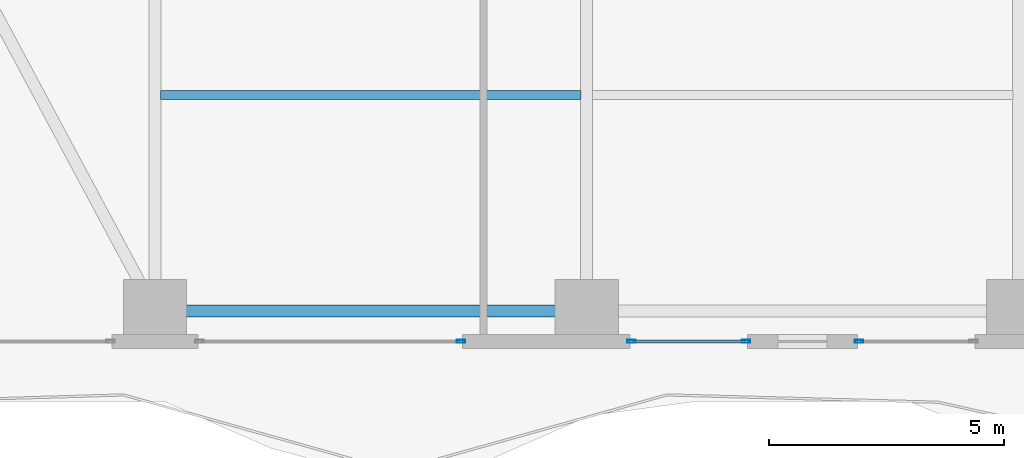
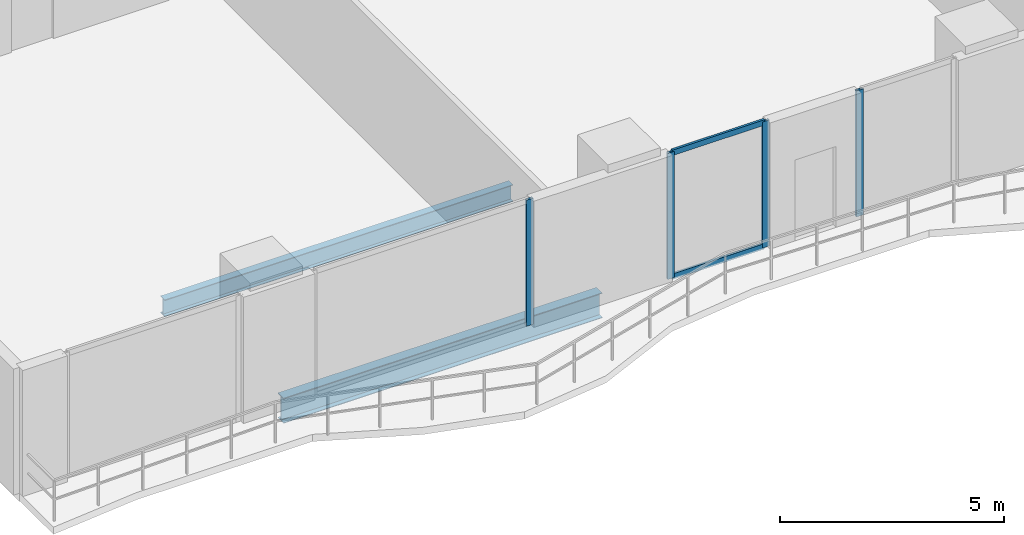
# One storey, part 4 of 29: 6 members, 2 beams, 3 elements without a shape of their own.
"""IFC4 building model written with IfcOpenShell, lengths in metres."""

from ifc_helpers import new_model, si_unit, direction, frame, origin, origin_2d, place, context, subcontext, project, spatial, hollow_rectangle, i_section, extrude, material, layer, layer_set, material_profile, profile_set, type_object, element, aggregate, save


model = new_model("IFC4")

# Units and contexts
model_context = context("Model", 3, precision=1e-05, world=origin(), true_north=direction((0.0, 1.0)))
body_context = subcontext(model_context, "Body", "Model", "MODEL_VIEW")
ifc_project = project(units=[si_unit("LENGTHUNIT", "METRE"), si_unit("AREAUNIT", "SQUARE_METRE"), si_unit("VOLUMEUNIT", "CUBIC_METRE"), si_unit("PLANEANGLEUNIT", "RADIAN"), si_unit("MASSUNIT", "GRAM", prefix="KILO")], contexts=[model_context])

# Site, building, storey
site_placement = place(None, origin())
site = spatial("IfcSite", under=ifc_project, at=site_placement, CompositionType="ELEMENT")
building_placement = place(site_placement, origin())
building = spatial("IfcBuilding", under=site, at=building_placement, Name="Zuhayl Quay Hotel", CompositionType="ELEMENT")
storey_placement = place(building_placement, frame((0.0, 0.0, 113.89990234375)))
storey = spatial("IfcBuildingStorey", under=building, at=storey_placement, Name="L28", CompositionType="ELEMENT", Elevation=113.89990234375)

# Beams
ifc_material_1 = material(Name="Steel ASTM A992 Grade 50", Category="steel")
ifc_material_profile_1 = material_profile(ifc_material_1, i_section(OverallWidth=0.25390625, OverallDepth=0.68310546875, WebThickness=0.012451171875, FlangeThickness=0.018798828125, at=origin_2d()), Name="W27X94")
ifc_profile_set_1 = profile_set([ifc_material_profile_1], Name="Steel ASTM A992 Grade 50")
beam_type_1 = type_object("IfcBeamType", Name="BM_B2_W27X94", PredefinedType="BEAM", material=ifc_profile_set_1)
beam_1_placement = place(storey_placement, frame((-13.300048828125, -14.75, -0.5615234375), z_axis=(1.0, 0.0, 0.0), x_axis=(0.0, 1.0, 0.0)))
element("IfcBeam", 1, at=beam_1_placement, inside=storey, type_object=beam_type_1, Name="L28 Floor Beam RG_L28_01", PredefinedType="BEAM", context=body_context, shape_type="SweptSolid", body=[
    extrude(i_section(OverallWidth=0.25390625, OverallDepth=0.68310546875, WebThickness=0.012451171875, FlangeThickness=0.018798828125, at=origin_2d()), origin(), (0.0, 0.0, 1.0), 8.199951171875),
])
ifc_material_profile_2 = material_profile(ifc_material_1, i_section(OverallWidth=0.18994140625, OverallDepth=0.45703125, WebThickness=0.009033203125, FlangeThickness=0.014404296875, at=origin_2d()), Name="W18X50")
ifc_profile_set_2 = profile_set([ifc_material_profile_2], Name="Steel ASTM A992 Grade 50")
beam_type_2 = type_object("IfcBeamType", Name="BM_J2_W18X50", PredefinedType="JOIST", material=ifc_profile_set_2)
beam_2_placement = place(storey_placement, frame((-13.680908203125, -10.14990234375, -0.448486328125), z_axis=(1.0, 0.0, 0.0), x_axis=(0.0, 1.0, 0.0)))
element("IfcBeam", 2, at=beam_2_placement, inside=storey, type_object=beam_type_2, Name="L28 Floor Beam FJ_L28_5_1", PredefinedType="JOIST", context=body_context, shape_type="SweptSolid", body=[
    extrude(i_section(OverallWidth=0.18994140625, OverallDepth=0.45703125, WebThickness=0.009033203125, FlangeThickness=0.014404296875, at=origin_2d()), origin(), (0.0, 0.0, 1.0), 8.9619140625),
])

# Curtain wall, member
ifc_material_2 = material(Name="Anodised Aluminium 6063-T6", Category="aluminium")
ifc_layer = layer(ifc_material_2, 0.179931640625, Name="Anodised Aluminium 6063-T6", Category="aluminium")
ifc_layer_set = layer_set([ifc_layer], Name="Anodised Aluminium 6063-T6")
curtain_wall_type = type_object("IfcCurtainWallType", Name="CW_SYS_Z2", PredefinedType="USERDEFINED", material=ifc_layer_set)
curtain_wall_1_placement = place(storey_placement, origin())
curtain_wall_1 = element("IfcCurtainWall", 3, at=curtain_wall_1_placement, inside=storey, type_object=curtain_wall_type, Name="L28 Curtain Wall ENV_L28_S_CW3", ObjectType="UNITISED CURTAIN WALL", PredefinedType="USERDEFINED")
ifc_material_3 = material(Name="Black-anodised aluminium 6063-T6", Category="aluminium")
ifc_material_profile_3 = material_profile(ifc_material_3, hollow_rectangle(XDim=0.06494140625, YDim=0.179931640625, WallThickness=0.00341796875, at=origin_2d()), Name="ALU180X65")
ifc_profile_set_3 = profile_set([ifc_material_profile_3], Name="Black-anodised aluminium 6063-T6")
member_type_1 = type_object("IfcMemberType", Name="MB_CW_MUL_180", PredefinedType="MULLION", material=ifc_profile_set_3)
member_1_placement = place(storey_placement, frame((1.20751953125, -15.39990234375, 0.0), z_axis=(0.0, 0.0, 1.0), x_axis=(0.0, -1.0, 0.0)))
member_1 = element("IfcMember", 4, at=member_1_placement, type_object=member_type_1, Name="CW-Z2 mullion 2", PredefinedType="MULLION", context=body_context, shape_type="SweptSolid", body=[
    extrude(hollow_rectangle(XDim=0.06494140625, YDim=0.179931640625, WallThickness=0.00341796875, at=origin_2d()), origin(), (0.0, 0.0, 1.0), 3.43017578125),
])
aggregate(curtain_wall_1, [member_1])

# Curtain wall, members
curtain_wall_2_placement = place(storey_placement, origin())
curtain_wall_2 = element("IfcCurtainWall", 5, at=curtain_wall_2_placement, inside=storey, type_object=curtain_wall_type, Name="L28 Curtain Wall ENV_L28_S_CW4", ObjectType="UNITISED CURTAIN WALL", PredefinedType="USERDEFINED")
member_2_placement = place(storey_placement, frame((-1.20751953125, -15.39990234375, 0.0), z_axis=(0.0, 0.0, 1.0), x_axis=(0.0, -1.0, 0.0)))
member_2 = element("IfcMember", 6, at=member_2_placement, type_object=member_type_1, Name="CW-Z2 mullion 1", PredefinedType="MULLION", context=body_context, shape_type="SweptSolid", body=[
    extrude(hollow_rectangle(XDim=0.06494140625, YDim=0.179931640625, WallThickness=0.00341796875, at=origin_2d()), origin(), (0.0, 0.0, 1.0), 3.43017578125),
])
member_3_placement = place(storey_placement, frame((-3.6474609375, -15.39990234375, 0.0), z_axis=(0.0, 0.0, 1.0), x_axis=(0.0, -1.0, 0.0)))
member_3 = element("IfcMember", 7, at=member_3_placement, type_object=member_type_1, Name="CW-Z2 mullion 2", PredefinedType="MULLION", context=body_context, shape_type="SweptSolid", body=[
    extrude(hollow_rectangle(XDim=0.06494140625, YDim=0.179931640625, WallThickness=0.00341796875, at=origin_2d()), origin(), (0.0, 0.0, 1.0), 3.43017578125),
])

# Curtain wall, member
curtain_wall_3_placement = place(storey_placement, origin())
curtain_wall_3 = element("IfcCurtainWall", 8, at=curtain_wall_3_placement, inside=storey, type_object=curtain_wall_type, Name="L28 Curtain Wall ENV_L28_S_CW5", ObjectType="UNITISED CURTAIN WALL", PredefinedType="USERDEFINED")
member_4_placement = place(storey_placement, frame((-7.282470703125, -15.39990234375, 0.0), z_axis=(0.0, 0.0, 1.0), x_axis=(0.0, -1.0, 0.0)))
member_4 = element("IfcMember", 9, at=member_4_placement, type_object=member_type_1, Name="CW-Z2 mullion 1", PredefinedType="MULLION", context=body_context, shape_type="SweptSolid", body=[
    extrude(hollow_rectangle(XDim=0.06494140625, YDim=0.179931640625, WallThickness=0.00341796875, at=origin_2d()), origin(), (0.0, 0.0, 1.0), 3.43017578125),
])
aggregate(curtain_wall_3, [member_4])

# Member
ifc_material_profile_4 = material_profile(ifc_material_3, hollow_rectangle(XDim=0.06005859375, YDim=0.14990234375, WallThickness=0.00341796875, at=origin_2d()), Name="ALU150X60")
ifc_profile_set_4 = profile_set([ifc_material_profile_4], Name="Black-anodised aluminium 6063-T6")
member_type_2 = type_object("IfcMemberType", Name="MB_CW_TRN_150", PredefinedType="USERDEFINED", material=ifc_profile_set_4)
member_5_placement = place(storey_placement, frame((-1.239990234375, -15.39990234375, 0.030029296875), z_axis=(-1.0, 0.0, 0.0), x_axis=(0.0, -1.0, 0.0)))
member_5 = element("IfcMember", 10, at=member_5_placement, type_object=member_type_2, Name="CW-Z2 transom 1.1", ObjectType="TRANSOM", PredefinedType="USERDEFINED", context=body_context, shape_type="SweptSolid", body=[
    extrude(hollow_rectangle(XDim=0.06005859375, YDim=0.14990234375, WallThickness=0.00341796875, at=origin_2d()), origin(), (0.0, 0.0, 1.0), 2.375),
])

member_6_placement = place(storey_placement, frame((-1.239990234375, -15.39990234375, 3.400146484375), z_axis=(-1.0, 0.0, 0.0), x_axis=(0.0, -1.0, 0.0)))
member_6 = element("IfcMember", 11, at=member_6_placement, type_object=member_type_2, Name="CW-Z2 transom 1.2", ObjectType="TRANSOM", PredefinedType="USERDEFINED", context=body_context, shape_type="SweptSolid", body=[
    extrude(hollow_rectangle(XDim=0.06005859375, YDim=0.14990234375, WallThickness=0.00341796875, at=origin_2d()), origin(), (0.0, 0.0, 1.0), 2.375),
])

aggregate(curtain_wall_2, [member_2, member_3, member_5, member_6])

save(model, "model.ifc")
